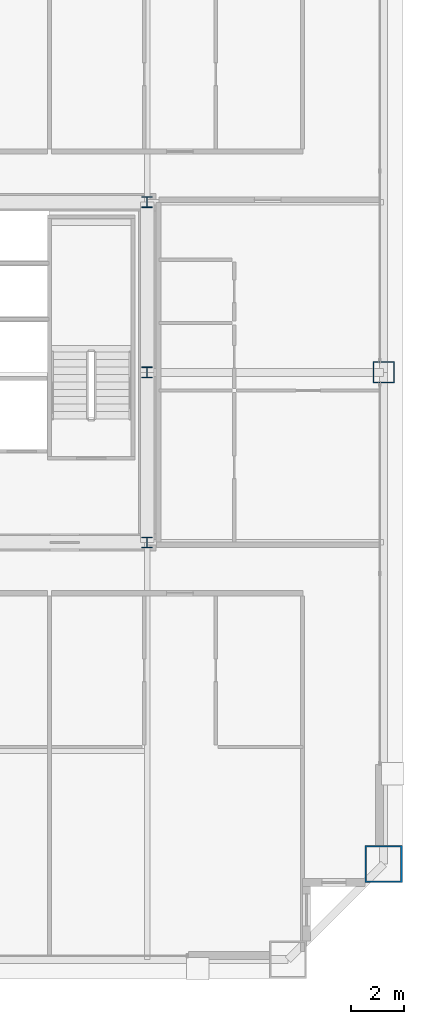
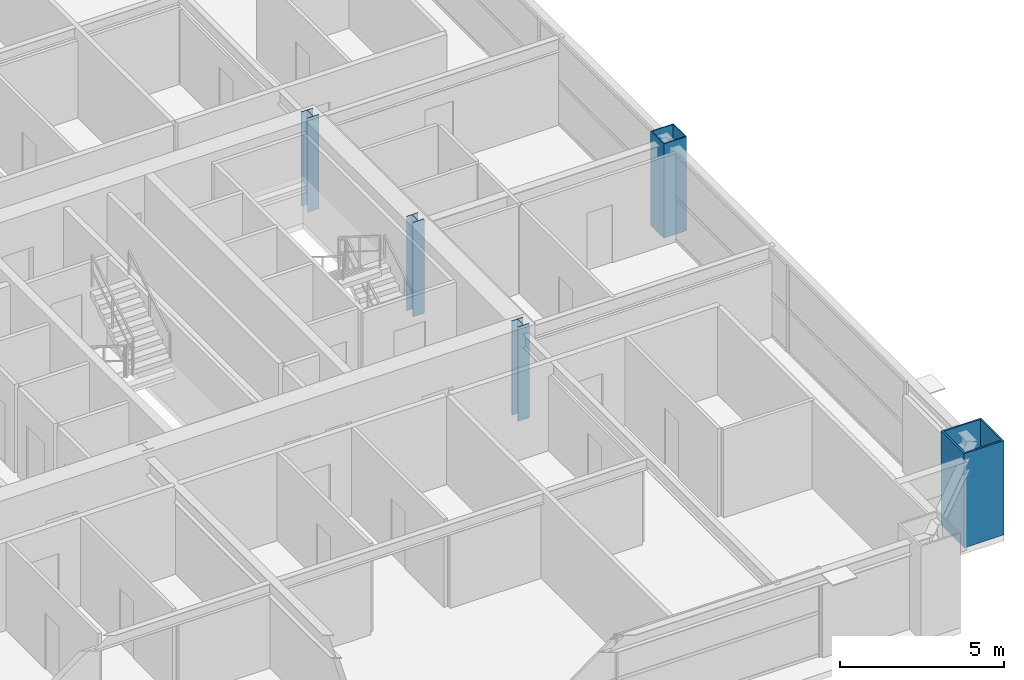
# One storey, part 2 of 38: 5 columns.
"""IFC4 building model written with IfcOpenShell, lengths in metres."""

from ifc_helpers import new_model, si_unit, direction, frame, origin, origin_2d, place, context, subcontext, project, spatial, hollow_rectangle, i_section, extrude, source, transform, mapped, material, material_profile, profile_set, type_object, element, save


model = new_model("IFC4")

# Units and contexts
model_context = context("Model", 3, precision=1e-05, world=origin(), true_north=direction((0.0, 1.0)))
body_context = subcontext(model_context, "Body", "Model", "MODEL_VIEW")
ifc_project = project(units=[si_unit("LENGTHUNIT", "METRE"), si_unit("AREAUNIT", "SQUARE_METRE"), si_unit("VOLUMEUNIT", "CUBIC_METRE"), si_unit("PLANEANGLEUNIT", "RADIAN"), si_unit("MASSUNIT", "GRAM", prefix="KILO"), si_unit("THERMODYNAMICTEMPERATUREUNIT", "KELVIN"), si_unit("POWERUNIT", "WATT")], contexts=[model_context])

# Site, building, storey
site_placement = place(None, origin())
site = spatial("IfcSite", under=ifc_project, at=site_placement, CompositionType="ELEMENT")
building_placement = place(site_placement, origin())
building = spatial("IfcBuilding", under=site, at=building_placement, Name="Yuzanri Waterfront Tower", CompositionType="ELEMENT")
storey_placement = place(building_placement, frame((0.0, 0.0, 188.0)))
storey = spatial("IfcBuildingStorey", under=building, at=storey_placement, Name="L49", CompositionType="ELEMENT", Elevation=188.0)

# Columns
ifc_material_1 = material(Name="Steel Q355B", Category="steel")
ifc_material_profile_1 = material_profile(ifc_material_1, i_section(OverallWidth=0.39990234375, OverallDepth=0.39990234375, WebThickness=0.012939453125, FlangeThickness=0.02099609375, at=origin_2d()), Name="HW 400x400x13x21")
ifc_profile_set_1 = profile_set([ifc_material_profile_1], Name="Steel Q355B")
column_type_1 = type_object("IfcColumnType", Name="Core Post Q355B HW 400x400x13x21", PredefinedType="COLUMN", material=ifc_profile_set_1)
shared_shape_1 = source(origin(), body_context, "Body", "SweptSolid", [
    extrude(i_section(OverallWidth=0.39990234375, OverallDepth=0.39990234375, WebThickness=0.012939453125, FlangeThickness=0.02099609375, at=origin_2d()), origin(), (0.0, 0.0, 1.0), 3.5),
])
for number, where, z_axis, x_axis, name in (
    (1, (50.199951171875, 19.39990234375, 0.0), (0.0, 0.0, 1.0), (1.0, 0.0, 0.0), "L49 Core Boundary Column CP3"),
    (2, (50.199951171875, 25.800048828125, 0.0), (0.0, 0.0, 1.0), (1.0, 0.0, 0.0), "L49 Core Boundary Column CP5"),
    (3, (50.199951171875, 32.199951171875, 0.0), (0.0, 0.0, 1.0), (1.0, 0.0, 0.0), "L49 Core Boundary Column CP8"),
):
    element("IfcColumn", number, at=place(storey_placement, frame(where, z_axis=z_axis, x_axis=x_axis)), inside=storey, type_object=column_type_1, Name=name, PredefinedType="COLUMN", context=body_context, shape_type="MappedRepresentation", body=[
        mapped(shared_shape_1, transform((0.0, 0.0, 0.0), scale=1.0)),
    ])
ifc_material_2 = material(Name="Steel Q420GJC", Category="steel")
ifc_material_profile_2 = material_profile(ifc_material_2, hollow_rectangle(XDim=1.39990234375, YDim=1.39990234375, WallThickness=0.06005859375, at=origin_2d()), Name="RHS 1400x1400x60")
ifc_profile_set_2 = profile_set([ifc_material_profile_2], Name="Steel Q420GJC")
column_type_2 = type_object("IfcColumnType", Name="Mega Column Q420GJC RHS 1400x1400x60", PredefinedType="COLUMN", material=ifc_profile_set_2)
shared_shape_2 = source(origin(), body_context, "Body", "SweptSolid", [
    extrude(hollow_rectangle(XDim=1.39990234375, YDim=1.39990234375, WallThickness=0.06005859375, at=origin_2d()), origin(), (0.0, 0.0, 1.0), 3.5),
])
column_1_placement = place(storey_placement, frame((59.10009765625, 7.300048828125, 0.0), z_axis=(0.0, 0.0, 1.0), x_axis=(1.0, 0.0, 0.0)))
element("IfcColumn", 4, at=column_1_placement, inside=storey, type_object=column_type_2, Name="L49 Perimeter Mega Column E1", PredefinedType="COLUMN", context=body_context, shape_type="MappedRepresentation", body=[
    mapped(shared_shape_2, transform((0.0, 0.0, 0.0), scale=1.0)),
])
ifc_material_3 = material(Name="Steel Q390GJC", Category="steel")
ifc_material_profile_3 = material_profile(ifc_material_3, hollow_rectangle(XDim=0.800048828125, YDim=0.800048828125, WallThickness=0.035888671875, at=origin_2d()), Name="RHS 800x800x36")
ifc_profile_set_3 = profile_set([ifc_material_profile_3], Name="Steel Q390GJC")
column_type_3 = type_object("IfcColumnType", Name="Frame Column Q390GJC RHS 800x800x36", PredefinedType="COLUMN", material=ifc_profile_set_3)
shared_shape_3 = source(origin(), body_context, "Body", "SweptSolid", [
    extrude(hollow_rectangle(XDim=0.800048828125, YDim=0.800048828125, WallThickness=0.035888671875, at=origin_2d()), origin(), (0.0, 0.0, 1.0), 3.5),
])
column_2_placement = place(storey_placement, frame((59.10009765625, 25.800048828125, 0.0), z_axis=(0.0, 0.0, 1.0), x_axis=(1.0, 0.0, 0.0)))
element("IfcColumn", 5, at=column_2_placement, inside=storey, type_object=column_type_3, Name="L49 Perimeter Frame Column E2", PredefinedType="COLUMN", context=body_context, shape_type="MappedRepresentation", body=[
    mapped(shared_shape_3, transform((0.0, 0.0, 0.0), scale=1.0)),
])

save(model, "model.ifc")
